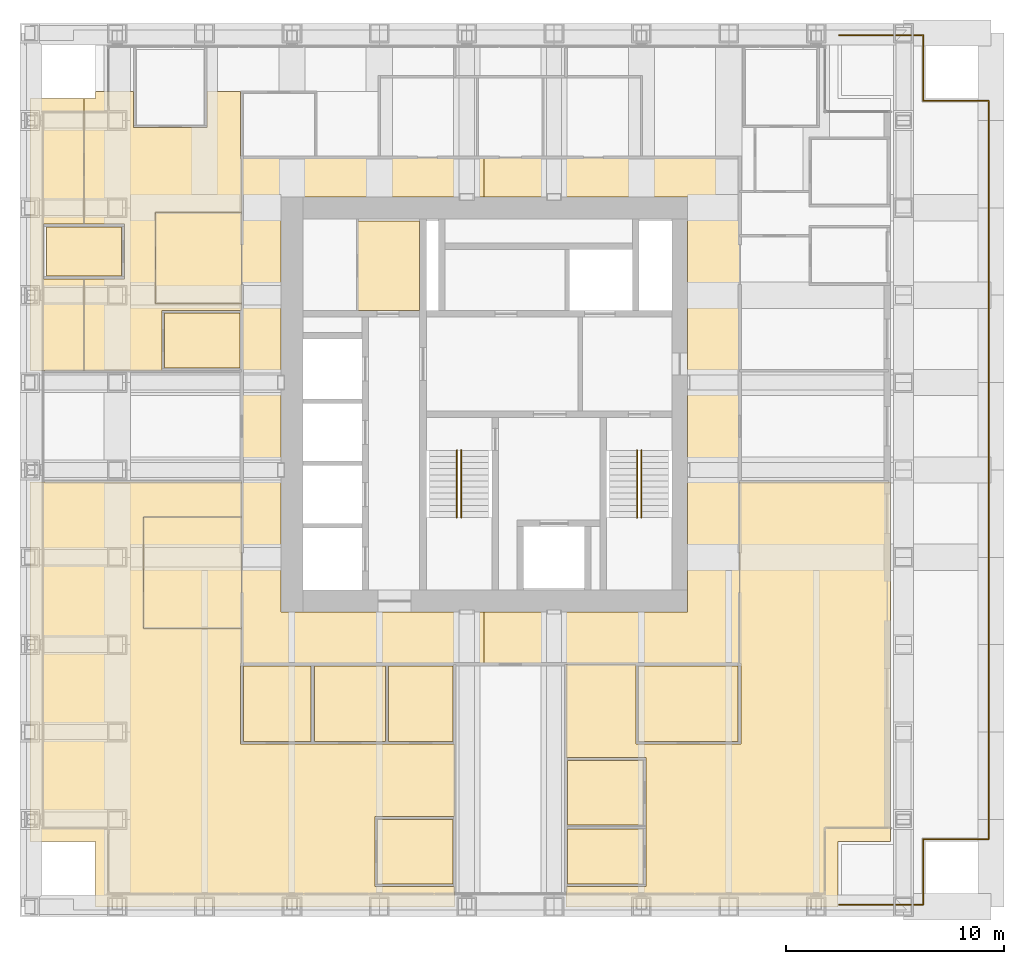
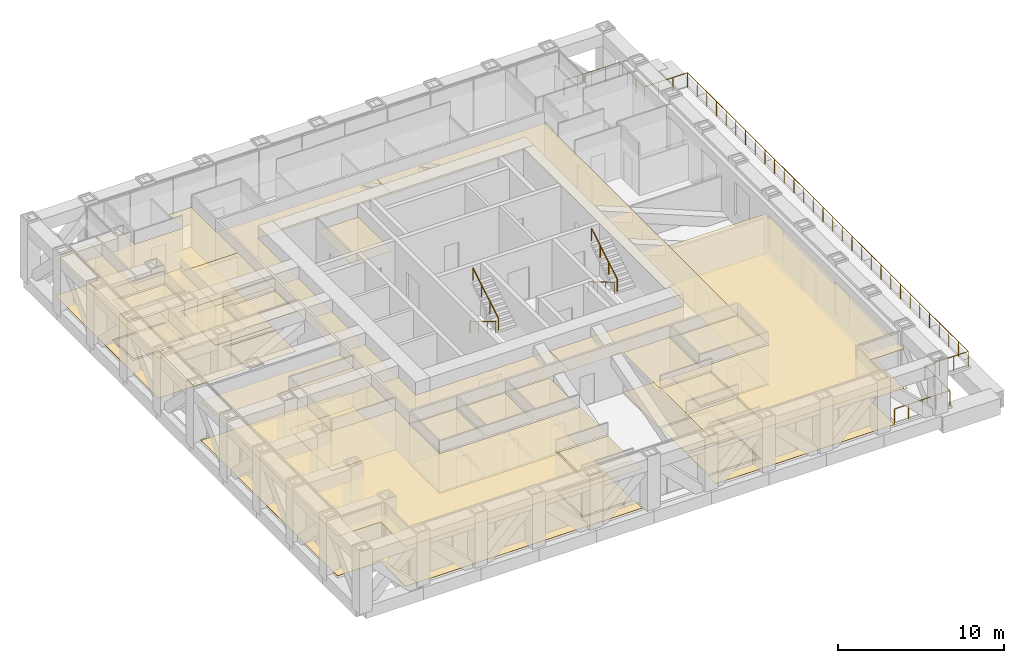
# One storey, part 13 of 14: 33 coverings, 5 railings.
"""IFC4 building model written with IfcOpenShell, lengths in metres."""

import ifcopenshell
import ifcopenshell.guid

model = None  # the IFC model being written
_history = None  # IfcOwnerHistory: only IFC2X3 demands one
_inside = {}  # id of a spatial element -> (the spatial element, [elements in it])
_under = {}  # id of a project, library or spatial element -> (it, [spatial elements below it])
_declared = {}  # id of a project -> (the project, [libraries it declares])
_typed = {}  # id of a type object -> (the type object, [elements of that type])
_made_of = {}  # id of a material, layer set ... -> (it, [elements and type objects made of it])


def new_model(schema):
    """Start an empty IFC model of exactly this schema.

    Asked for "IFC4X3", IfcOpenShell would pick the latest addendum, in which some entities
    have other attributes; the version numbers below select the first issue.
    IFC2X3 requires an IfcOwnerHistory on every rooted entity: one is made here for all.
    """
    global model, _history
    if schema == "IFC4X3":
        model = ifcopenshell.file(schema_version=(4, 3, 0, 0))
    else:
        model = ifcopenshell.file(schema=schema)
    _inside.clear()
    _under.clear()
    _declared.clear()
    _typed.clear()
    _made_of.clear()
    _history = None
    if model.schema == "IFC2X3":
        org = make("IfcOrganization", Name="unknown")
        user = make(
            "IfcPersonAndOrganization",
            ThePerson=make("IfcPerson", FamilyName="unknown"),
            TheOrganization=org,
        )
        app = make(
            "IfcApplication",
            ApplicationDeveloper=org,
            Version="unknown",
            ApplicationFullName="unknown",
            ApplicationIdentifier="unknown",
        )
        _history = make(
            "IfcOwnerHistory",
            OwningUser=user,
            OwningApplication=app,
            ChangeAction="ADDED",
            CreationDate=0,
        )
    return model


def make(cls, **values):
    """One entity of the class cls with the attributes given. An attribute that is None is left unset."""
    return model.create_entity(
        cls, **{name: value for name, value in values.items() if value is not None}
    )


def rooted(cls, **values):
    """An entity with a GlobalId (a new one), such as an element, a storey or a relation."""
    return make(cls, GlobalId=ifcopenshell.guid.new(), OwnerHistory=_history, **values)


def si_unit(unit_type, name, prefix=None):
    """IfcSIUnit, for example si_unit("LENGTHUNIT", "METRE", prefix="MILLI")."""
    return make("IfcSIUnit", UnitType=unit_type, Prefix=prefix, Name=name)


def assignment(units):
    """IfcUnitAssignment: the units of a project."""
    return None if units is None else make("IfcUnitAssignment", Units=units)


def point(xyz):
    """IfcCartesianPoint."""
    return None if xyz is None else make("IfcCartesianPoint", Coordinates=xyz)


def direction(xyz):
    """IfcDirection."""
    return None if xyz is None else make("IfcDirection", DirectionRatios=xyz)


def frame(location, z_axis=None, x_axis=None):
    """IfcAxis2Placement3D, a coordinate frame: its origin and axes. An axis left out is left unset."""
    return make(
        "IfcAxis2Placement3D",
        Location=point(location),
        Axis=direction(z_axis),
        RefDirection=direction(x_axis),
    )


def frame_2d(location, x_axis=None):
    """IfcAxis2Placement2D, a coordinate frame in the plane: its origin and x axis."""
    return make(
        "IfcAxis2Placement2D", Location=point(location), RefDirection=direction(x_axis)
    )


def origin():
    """The frame at (0, 0, 0) with its axes left unset."""
    return frame((0.0, 0.0, 0.0))


def origin_2d():
    """The frame at (0, 0) in the plane with its x axis left unset."""
    return frame_2d((0.0, 0.0))


def place(relative_to, where):
    """IfcLocalPlacement: puts the frame where relative to a parent placement (None: the world)."""
    return make(
        "IfcLocalPlacement", PlacementRelTo=relative_to, RelativePlacement=where
    )


def context(
    kind, dimensions, precision=None, world=None, true_north=None, identifier=None
):
    """IfcGeometricRepresentationContext, for example the 3D "Model" context."""
    return make(
        "IfcGeometricRepresentationContext",
        ContextIdentifier=identifier,
        ContextType=kind,
        CoordinateSpaceDimension=dimensions,
        Precision=precision,
        WorldCoordinateSystem=world,
        TrueNorth=true_north,
    )


def subcontext(parent, identifier, kind, view, scale=None):
    """IfcGeometricRepresentationSubContext, for example "Body" below "Model"."""
    return make(
        "IfcGeometricRepresentationSubContext",
        ContextIdentifier=identifier,
        ContextType=kind,
        ParentContext=parent,
        TargetScale=scale,
        TargetView=view,
    )


def project(units=None, contexts=None):
    """IfcProject with its units and contexts."""
    return rooted(
        "IfcProject",
        Name="project",
        RepresentationContexts=contexts,
        UnitsInContext=assignment(units),
    )


def spatial(cls, under=None, at=None, **own):
    """A site, building, storey or space (cls), placed at a placement, below another one or the project."""
    s = rooted(cls, ObjectPlacement=at, **own)
    if under is not None:
        _under.setdefault(under.id(), (under, []))[1].append(s)
    return s


def polyline(points):
    """IfcPolyline through the points."""
    return make("IfcPolyline", Points=[point(p) for p in points])


def profile(cls, at=None, kind="AREA", **sizes):
    """A parametric profile (cls). Its sizes go by their IFC names, for example OverallWidth=200.0."""
    return make(cls, ProfileType=kind, Position=at, **sizes)


def circle(**sizes):
    """IfcCircleProfileDef."""
    return profile("IfcCircleProfileDef", **sizes)


def outline(outer, holes=None, kind="AREA"):
    """IfcArbitraryClosedProfileDef: a profile drawn as a closed curve; with holes, ...WithVoids."""
    if holes is None:
        return make("IfcArbitraryClosedProfileDef", ProfileType=kind, OuterCurve=outer)
    return make(
        "IfcArbitraryProfileDefWithVoids",
        ProfileType=kind,
        OuterCurve=outer,
        InnerCurves=holes,
    )


def extrude(swept, where, along, depth):
    """IfcExtrudedAreaSolid: the profile swept, set in the frame where, extruded along a direction by depth."""
    return make(
        "IfcExtrudedAreaSolid",
        SweptArea=swept,
        Position=where,
        ExtrudedDirection=direction(along),
        Depth=depth,
    )


def shape(context_of_items, identifier, shape_type, items):
    """IfcShapeRepresentation: the items that make up one representation, for example the "Body"."""
    return make(
        "IfcShapeRepresentation",
        ContextOfItems=context_of_items,
        RepresentationIdentifier=identifier,
        RepresentationType=shape_type,
        Items=items,
    )


def material(Name=None, Category=None):
    """IfcMaterial."""
    return make("IfcMaterial", Name=Name, Category=Category)


def layer(
    of_material, thickness, ventilated=None, Name=None, Category=None, Priority=None
):
    """IfcMaterialLayer: one layer of a wall or slab, of a material (None: an air gap)."""
    return make(
        "IfcMaterialLayer",
        Material=of_material,
        LayerThickness=thickness,
        IsVentilated=ventilated,
        Name=Name,
        Category=Category,
        Priority=Priority,
    )


def layer_set(layers, Name=None):
    """IfcMaterialLayerSet."""
    return make("IfcMaterialLayerSet", MaterialLayers=layers, LayerSetName=Name)


def made_of(thing, what):
    """Note that an element or type object is made of a material, layer set ...; save() writes the relation."""
    if what is not None:
        _made_of.setdefault(what.id(), (what, []))[1].append(thing)
    return thing


def type_object(cls, material=None, **own):
    """A type object (cls), such as IfcWallType, which elements share."""
    return made_of(rooted(cls, **own), material)


def element(
    cls,
    number,
    at=None,
    inside=None,
    cuts=None,
    type_object=None,
    material=None,
    context=None,
    identifier="Body",
    shape_type=None,
    held_by="IfcProductDefinitionShape",
    body=None,
    shapes=None,
    **own,
):
    """One element of the class cls, such as IfcWall. Its Tag is "e" and its number.

    at: its placement. inside: the storey or other place that contains it. cuts: it is an
    opening in that element (IfcRelVoidsElement). A single representation is given by context,
    identifier, shape_type and body (its items); several are given by shapes. held_by: the class
    of the entity that holds the representations. save() writes the other relations.
    """
    e = rooted(cls, Tag="e%d" % number, ObjectPlacement=at, **own)
    if body is not None:
        shapes = [shape(context, identifier, shape_type, body)]
    if shapes is not None:
        e.Representation = make(held_by, Representations=shapes)
    if inside is not None:
        _inside.setdefault(inside.id(), (inside, []))[1].append(e)
    if cuts is not None:
        rooted(
            "IfcRelVoidsElement", RelatingBuildingElement=cuts, RelatedOpeningElement=e
        )
    if type_object is not None:
        _typed.setdefault(type_object.id(), (type_object, []))[1].append(e)
    return made_of(e, material)


def aggregate(whole, parts):
    """IfcRelAggregates: a whole, such as a stair, and the parts it consists of."""
    return rooted("IfcRelAggregates", RelatingObject=whole, RelatedObjects=parts)


def save(model, path):
    """Write the relations noted so far, then the file.

    IfcRelAggregates (storeys below a building ...), IfcRelContainedInSpatialStructure (elements
    in a storey), IfcRelDefinesByType, IfcRelAssociatesMaterial and IfcRelDeclares: one each for
    every whole, place, type object, material and project.
    """
    for whole, parts in _under.values():
        aggregate(whole, parts)
    for where, things in _inside.values():
        rooted(
            "IfcRelContainedInSpatialStructure",
            RelatedElements=things,
            RelatingStructure=where,
        )
    for kind, things in _typed.values():
        rooted("IfcRelDefinesByType", RelatedObjects=things, RelatingType=kind)
    for what, things in _made_of.values():
        rooted("IfcRelAssociatesMaterial", RelatedObjects=things, RelatingMaterial=what)
    for by, libraries in _declared.values():
        rooted("IfcRelDeclares", RelatingContext=by, RelatedDefinitions=libraries)
    model.write(path)


model = new_model("IFC4")

# Units and contexts
model_context = context("Model", 3, precision=1e-05, world=origin(), true_north=direction((0.0, 1.0)))
body_context = subcontext(model_context, "Body", "Model", "MODEL_VIEW")
ifc_project = project(units=[si_unit("LENGTHUNIT", "METRE"), si_unit("AREAUNIT", "SQUARE_METRE"), si_unit("VOLUMEUNIT", "CUBIC_METRE"), si_unit("PLANEANGLEUNIT", "RADIAN"), si_unit("MASSUNIT", "GRAM", prefix="KILO")], contexts=[model_context])

# Site, building, storey
site_placement = place(None, origin())
site = spatial("IfcSite", under=ifc_project, at=site_placement, CompositionType="ELEMENT")
building_placement = place(site_placement, origin())
building = spatial("IfcBuilding", under=site, at=building_placement, Name="Rimbunsela Tower", CompositionType="ELEMENT")
storey_placement = place(building_placement, frame((0.0, 0.0, 270.199951171875)))
storey = spatial("IfcBuildingStorey", under=building, at=storey_placement, Name="L65", CompositionType="ELEMENT", Elevation=270.199951171875)

# Coverings
ifc_material_1 = material(Name="Nylon carpet tile", Category="textile")
ifc_layer_1 = layer(ifc_material_1, 0.010009765625)
ifc_layer_set_1 = layer_set([ifc_layer_1], Name="Carpet tile 10")
covering_type_1 = type_object("IfcCoveringType", Name="Carpet tile 10", PredefinedType="FLOORING", material=ifc_layer_set_1)
covering_1_placement = place(storey_placement, origin())
element("IfcCovering", 1, at=covering_1_placement, inside=storey, type_object=covering_type_1, Name="Floor finish Open office", PredefinedType="FLOORING", context=body_context, shape_type="SweptSolid", body=[
    extrude(outline(polyline([(25.448974609375, 4.929931640625), (25.448974609375, 4.0), (15.699951171875, 4.0), (9.0, 4.0), (9.0, 7.0), (6.0, 7.0), (6.0, 23.448974609375), (15.699951171875, 23.448974609375), (15.699951171875, 21.84912109375), (11.199951171875, 21.84912109375), (11.199951171875, 16.7490234375), (15.699951171875, 16.7490234375), (15.699951171875, 15.14990234375), (15.64990234375, 15.14990234375), (15.64990234375, 11.449951171875), (15.699951171875, 11.449951171875), (18.89990234375, 11.449951171875), (19.0, 11.449951171875), (22.300048828125, 11.449951171875), (22.39990234375, 11.449951171875), (25.448974609375, 11.449951171875), (25.448974609375, 8.1298828125), (21.800048828125, 8.1298828125), (21.800048828125, 4.929931640625), (25.448974609375, 4.929931640625)])), origin(), (0.0, 0.0, 1.0), 0.010009765625),
])
covering_2_placement = place(storey_placement, origin())
element("IfcCovering", 2, at=covering_2_placement, inside=storey, type_object=covering_type_1, Name="Floor finish Open office", PredefinedType="FLOORING", context=body_context, shape_type="SweptSolid", body=[
    extrude(outline(polyline([(8.47998046875, 28.551025390625), (6.0, 28.551025390625), (6.0, 41.0), (8.47998046875, 41.0), (8.47998046875, 35.25), (6.6298828125, 35.25), (6.6298828125, 32.75), (8.47998046875, 32.75), (8.47998046875, 28.551025390625)])), origin(), (0.0, 0.0, 1.0), 0.010009765625),
])
covering_3_placement = place(storey_placement, origin())
element("IfcCovering", 3, at=covering_3_placement, inside=storey, type_object=covering_type_1, Name="Floor finish Open office", PredefinedType="FLOORING", context=body_context, shape_type="SweptSolid", body=[
    extrude(outline(polyline([(15.64990234375, 38.25), (15.699951171875, 38.25), (15.699951171875, 35.77587890625), (11.75, 35.77587890625), (11.75, 31.6259765625), (15.699951171875, 31.6259765625), (15.699951171875, 31.300048828125), (12.050048828125, 31.300048828125), (12.050048828125, 28.551025390625), (8.47998046875, 28.551025390625), (8.47998046875, 32.75), (10.330078125, 32.75), (10.330078125, 35.25), (8.47998046875, 35.25), (8.47998046875, 41.0), (9.0, 41.0), (9.0, 41.320068359375), (10.75, 41.320068359375), (10.75, 39.669921875), (14.10009765625, 39.669921875), (14.10009765625, 41.320068359375), (15.64990234375, 41.320068359375), (15.64990234375, 38.25)])), origin(), (0.0, 0.0, 1.0), 0.010009765625),
])
covering_4_placement = place(storey_placement, origin())
element("IfcCovering", 4, at=covering_4_placement, inside=storey, type_object=covering_type_1, Name="Floor finish Open office", PredefinedType="FLOORING", context=body_context, shape_type="SweptSolid", body=[
    extrude(outline(polyline([(34.199951171875, 4.929931640625), (34.199951171875, 7.6298828125), (34.199951171875, 7.679931640625), (34.199951171875, 10.830078125), (30.551025390625, 10.830078125), (30.551025390625, 15.10009765625), (33.7509765625, 15.10009765625), (33.7509765625, 11.449951171875), (38.5, 11.449951171875), (38.550048828125, 11.449951171875), (38.550048828125, 15.14990234375), (38.5, 15.14990234375), (38.5, 23.448974609375), (45.39990234375, 23.448974609375), (45.39990234375, 7.0), (43.0, 7.0), (43.0, 4.0), (38.5, 4.0), (30.551025390625, 4.0), (30.551025390625, 4.929931640625), (34.199951171875, 4.929931640625)])), origin(), (0.0, 0.0, 1.0), 0.010009765625),
])
covering_5_placement = place(storey_placement, origin())
element("IfcCovering", 5, at=covering_5_placement, inside=storey, type_object=covering_type_1, Name="Floor finish Reception", PredefinedType="FLOORING", context=body_context, shape_type="SweptSolid", body=[
    extrude(outline(polyline([(15.699951171875, 16.7490234375), (15.699951171875, 21.84912109375), (11.199951171875, 21.84912109375), (11.199951171875, 16.7490234375), (15.699951171875, 16.7490234375)])), origin(), (0.0, 0.0, 1.0), 0.010009765625),
])
covering_6_placement = place(storey_placement, origin())
element("IfcCovering", 6, at=covering_6_placement, inside=storey, type_object=covering_type_1, Name="Floor finish Reception", PredefinedType="FLOORING", context=body_context, shape_type="SweptSolid", body=[
    extrude(outline(polyline([(15.699951171875, 31.6259765625), (15.699951171875, 35.77587890625), (11.75, 35.77587890625), (11.75, 31.6259765625), (15.699951171875, 31.6259765625)])), origin(), (0.0, 0.0, 1.0), 0.010009765625),
])
covering_7_placement = place(storey_placement, origin())
element("IfcCovering", 7, at=covering_7_placement, inside=storey, type_object=covering_type_1, Name="Floor finish Interview room", PredefinedType="FLOORING", context=body_context, shape_type="SweptSolid", body=[
    extrude(outline(polyline([(18.875, 11.574951171875), (18.875, 15.02490234375), (15.77490234375, 15.02490234375), (15.77490234375, 11.574951171875), (18.875, 11.574951171875)])), origin(), (0.0, 0.0, 1.0), 0.010009765625),
])
covering_8_placement = place(storey_placement, origin())
element("IfcCovering", 8, at=covering_8_placement, inside=storey, type_object=covering_type_1, Name="Floor finish Pantry", PredefinedType="FLOORING", context=body_context, shape_type="SweptSolid", body=[
    extrude(outline(polyline([(22.27490234375, 11.574951171875), (22.27490234375, 15.02490234375), (19.02490234375, 15.02490234375), (19.02490234375, 11.574951171875), (22.27490234375, 11.574951171875)])), origin(), (0.0, 0.0, 1.0), 0.010009765625),
])
covering_9_placement = place(storey_placement, origin())
element("IfcCovering", 9, at=covering_9_placement, inside=storey, type_object=covering_type_1, Name="Floor finish Print and copy room", PredefinedType="FLOORING", context=body_context, shape_type="SweptSolid", body=[
    extrude(outline(polyline([(25.3740234375, 11.574951171875), (25.3740234375, 15.02490234375), (22.425048828125, 15.02490234375), (22.425048828125, 11.574951171875), (25.3740234375, 11.574951171875)])), origin(), (0.0, 0.0, 1.0), 0.010009765625),
])
covering_10_placement = place(storey_placement, origin())
element("IfcCovering", 10, at=covering_10_placement, inside=storey, type_object=covering_type_1, Name="Floor finish Pantry", PredefinedType="FLOORING", context=body_context, shape_type="SweptSolid", body=[
    extrude(outline(polyline([(38.425048828125, 11.574951171875), (38.425048828125, 15.02490234375), (33.8759765625, 15.02490234375), (33.8759765625, 11.574951171875), (38.425048828125, 11.574951171875)])), origin(), (0.0, 0.0, 1.0), 0.010009765625),
])
covering_11_placement = place(storey_placement, origin())
element("IfcCovering", 11, at=covering_11_placement, inside=storey, type_object=covering_type_1, Name="Floor finish Office", PredefinedType="FLOORING", context=body_context, shape_type="SweptSolid", body=[
    extrude(outline(polyline([(25.375, 5.054931640625), (25.375, 8.0048828125), (21.925048828125, 8.0048828125), (21.925048828125, 5.054931640625), (25.375, 5.054931640625)])), origin(), (0.0, 0.0, 1.0), 0.010009765625),
])
covering_12_placement = place(storey_placement, origin())
element("IfcCovering", 12, at=covering_12_placement, inside=storey, type_object=covering_type_1, Name="Floor finish Print and copy room", PredefinedType="FLOORING", context=body_context, shape_type="SweptSolid", body=[
    extrude(outline(polyline([(15.625, 28.675048828125), (15.625, 31.175048828125), (12.175048828125, 31.175048828125), (12.175048828125, 28.675048828125), (15.625, 28.675048828125)])), origin(), (0.0, 0.0, 1.0), 0.010009765625),
])
covering_13_placement = place(storey_placement, origin())
element("IfcCovering", 13, at=covering_13_placement, inside=storey, type_object=covering_type_1, Name="Floor finish Office", PredefinedType="FLOORING", context=body_context, shape_type="SweptSolid", body=[
    extrude(outline(polyline([(10.205078125, 32.875), (10.205078125, 35.125), (6.7548828125, 35.125), (6.7548828125, 32.875), (10.205078125, 32.875)])), origin(), (0.0, 0.0, 1.0), 0.010009765625),
])
covering_14_placement = place(storey_placement, origin())
element("IfcCovering", 14, at=covering_14_placement, inside=storey, type_object=covering_type_1, Name="Floor finish Print and copy room", PredefinedType="FLOORING", context=body_context, shape_type="SweptSolid", body=[
    extrude(outline(polyline([(34.074951171875, 5.054931640625), (34.074951171875, 7.554931640625), (30.625, 7.554931640625), (30.625, 5.054931640625), (34.074951171875, 5.054931640625)])), origin(), (0.0, 0.0, 1.0), 0.010009765625),
])
covering_15_placement = place(storey_placement, origin())
element("IfcCovering", 15, at=covering_15_placement, inside=storey, type_object=covering_type_1, Name="Floor finish Office", PredefinedType="FLOORING", context=body_context, shape_type="SweptSolid", body=[
    extrude(outline(polyline([(34.074951171875, 7.7548828125), (34.074951171875, 10.705078125), (30.625, 10.705078125), (30.625, 7.7548828125), (34.074951171875, 7.7548828125)])), origin(), (0.0, 0.0, 1.0), 0.010009765625),
])
ifc_material_2 = material(Name="Mineral fibre ceiling tile", Category="gypsum")
ifc_layer_2 = layer(ifc_material_2, 0.02001953125)
ifc_layer_set_2 = layer_set([ifc_layer_2], Name="Ceiling 600 grid")
covering_type_2 = type_object("IfcCoveringType", Name="Ceiling 600 grid", PredefinedType="CEILING", material=ifc_layer_set_2)
covering_16_placement = place(storey_placement, frame((0.0, 0.0, 2.900146484375)))
element("IfcCovering", 16, at=covering_16_placement, inside=storey, type_object=covering_type_2, Name="Ceiling IT room", PredefinedType="CEILING", context=body_context, shape_type="SweptSolid", body=[
    extrude(outline(polyline([(23.85009765625, 31.300048828125), (23.85009765625, 35.39990234375), (21.0, 35.39990234375), (21.0, 31.300048828125), (23.85009765625, 31.300048828125)])), origin(), (0.0, 0.0, 1.0), 0.02001953125),
])
covering_17_placement = place(storey_placement, frame((0.0, 0.0, 2.900146484375)))
element("IfcCovering", 17, at=covering_17_placement, inside=storey, type_object=covering_type_2, Name="Ceiling Ring corridor", PredefinedType="CEILING", context=body_context, shape_type="SweptSolid", body=[
    extrude(outline(polyline([(15.699951171875, 38.300048828125), (26.800048828125, 38.300048828125), (26.800048828125, 36.5), (17.5, 36.5), (17.5, 17.5), (26.800048828125, 17.5), (26.800048828125, 15.10009765625), (15.699951171875, 15.10009765625), (15.699951171875, 38.300048828125)])), origin(), (0.0, 0.0, 1.0), 0.02001953125),
])
covering_18_placement = place(storey_placement, frame((0.0, 0.0, 2.900146484375)))
element("IfcCovering", 18, at=covering_18_placement, inside=storey, type_object=covering_type_2, Name="Ceiling Ring corridor", PredefinedType="CEILING", context=body_context, shape_type="SweptSolid", body=[
    extrude(outline(polyline([(38.5, 38.300048828125), (38.5, 15.10009765625), (26.800048828125, 15.10009765625), (26.800048828125, 17.5), (36.10009765625, 17.5), (36.10009765625, 36.5), (26.800048828125, 36.5), (26.800048828125, 38.300048828125), (38.5, 38.300048828125)])), origin(), (0.0, 0.0, 1.0), 0.02001953125),
])
covering_19_placement = place(storey_placement, frame((0.0, 0.0, 2.900146484375)))
element("IfcCovering", 19, at=covering_19_placement, inside=storey, type_object=covering_type_2, Name="Ceiling Open office", PredefinedType="CEILING", context=body_context, shape_type="SweptSolid", body=[
    extrude(outline(polyline([(25.448974609375, 4.929931640625), (25.448974609375, 4.0), (15.699951171875, 4.0), (9.0, 4.0), (9.0, 7.0), (6.0, 7.0), (6.0, 23.448974609375), (15.699951171875, 23.448974609375), (15.699951171875, 21.84912109375), (11.199951171875, 21.84912109375), (11.199951171875, 16.7490234375), (15.699951171875, 16.7490234375), (15.699951171875, 15.14990234375), (15.64990234375, 15.14990234375), (15.64990234375, 11.449951171875), (15.699951171875, 11.449951171875), (18.89990234375, 11.449951171875), (19.0, 11.449951171875), (22.300048828125, 11.449951171875), (22.39990234375, 11.449951171875), (25.448974609375, 11.449951171875), (25.448974609375, 8.1298828125), (21.800048828125, 8.1298828125), (21.800048828125, 4.929931640625), (25.448974609375, 4.929931640625)])), origin(), (0.0, 0.0, 1.0), 0.02001953125),
])
covering_20_placement = place(storey_placement, frame((0.0, 0.0, 2.900146484375)))
element("IfcCovering", 20, at=covering_20_placement, inside=storey, type_object=covering_type_2, Name="Ceiling Open office", PredefinedType="CEILING", context=body_context, shape_type="SweptSolid", body=[
    extrude(outline(polyline([(8.47998046875, 28.551025390625), (6.0, 28.551025390625), (6.0, 41.0), (8.47998046875, 41.0), (8.47998046875, 35.25), (6.6298828125, 35.25), (6.6298828125, 32.75), (8.47998046875, 32.75), (8.47998046875, 28.551025390625)])), origin(), (0.0, 0.0, 1.0), 0.02001953125),
])
covering_21_placement = place(storey_placement, frame((0.0, 0.0, 2.900146484375)))
element("IfcCovering", 21, at=covering_21_placement, inside=storey, type_object=covering_type_2, Name="Ceiling Open office", PredefinedType="CEILING", context=body_context, shape_type="SweptSolid", body=[
    extrude(outline(polyline([(15.64990234375, 38.25), (15.699951171875, 38.25), (15.699951171875, 35.77587890625), (11.75, 35.77587890625), (11.75, 31.6259765625), (15.699951171875, 31.6259765625), (15.699951171875, 31.300048828125), (12.050048828125, 31.300048828125), (12.050048828125, 28.551025390625), (8.47998046875, 28.551025390625), (8.47998046875, 32.75), (10.330078125, 32.75), (10.330078125, 35.25), (8.47998046875, 35.25), (8.47998046875, 41.0), (9.0, 41.0), (9.0, 41.320068359375), (10.75, 41.320068359375), (10.75, 39.669921875), (14.10009765625, 39.669921875), (14.10009765625, 41.320068359375), (15.64990234375, 41.320068359375), (15.64990234375, 38.25)])), origin(), (0.0, 0.0, 1.0), 0.02001953125),
])
covering_22_placement = place(storey_placement, frame((0.0, 0.0, 2.900146484375)))
element("IfcCovering", 22, at=covering_22_placement, inside=storey, type_object=covering_type_2, Name="Ceiling Open office", PredefinedType="CEILING", context=body_context, shape_type="SweptSolid", body=[
    extrude(outline(polyline([(34.199951171875, 4.929931640625), (34.199951171875, 7.6298828125), (34.199951171875, 7.679931640625), (34.199951171875, 10.830078125), (30.551025390625, 10.830078125), (30.551025390625, 15.10009765625), (33.7509765625, 15.10009765625), (33.7509765625, 11.449951171875), (38.5, 11.449951171875), (38.550048828125, 11.449951171875), (38.550048828125, 15.14990234375), (38.5, 15.14990234375), (38.5, 23.448974609375), (45.39990234375, 23.448974609375), (45.39990234375, 7.0), (43.0, 7.0), (43.0, 4.0), (38.5, 4.0), (30.551025390625, 4.0), (30.551025390625, 4.929931640625), (34.199951171875, 4.929931640625)])), origin(), (0.0, 0.0, 1.0), 0.02001953125),
])
covering_23_placement = place(storey_placement, frame((0.0, 0.0, 2.900146484375)))
element("IfcCovering", 23, at=covering_23_placement, inside=storey, type_object=covering_type_2, Name="Ceiling Reception", PredefinedType="CEILING", context=body_context, shape_type="SweptSolid", body=[
    extrude(outline(polyline([(15.699951171875, 16.7490234375), (15.699951171875, 21.84912109375), (11.199951171875, 21.84912109375), (11.199951171875, 16.7490234375), (15.699951171875, 16.7490234375)])), origin(), (0.0, 0.0, 1.0), 0.02001953125),
])
covering_24_placement = place(storey_placement, frame((0.0, 0.0, 2.900146484375)))
element("IfcCovering", 24, at=covering_24_placement, inside=storey, type_object=covering_type_2, Name="Ceiling Reception", PredefinedType="CEILING", context=body_context, shape_type="SweptSolid", body=[
    extrude(outline(polyline([(15.699951171875, 31.6259765625), (15.699951171875, 35.77587890625), (11.75, 35.77587890625), (11.75, 31.6259765625), (15.699951171875, 31.6259765625)])), origin(), (0.0, 0.0, 1.0), 0.02001953125),
])
covering_25_placement = place(storey_placement, frame((0.0, 0.0, 2.900146484375)))
element("IfcCovering", 25, at=covering_25_placement, inside=storey, type_object=covering_type_2, Name="Ceiling Interview room", PredefinedType="CEILING", context=body_context, shape_type="SweptSolid", body=[
    extrude(outline(polyline([(18.875, 11.574951171875), (18.875, 15.02490234375), (15.77490234375, 15.02490234375), (15.77490234375, 11.574951171875), (18.875, 11.574951171875)])), origin(), (0.0, 0.0, 1.0), 0.02001953125),
])
covering_26_placement = place(storey_placement, frame((0.0, 0.0, 2.900146484375)))
element("IfcCovering", 26, at=covering_26_placement, inside=storey, type_object=covering_type_2, Name="Ceiling Pantry", PredefinedType="CEILING", context=body_context, shape_type="SweptSolid", body=[
    extrude(outline(polyline([(22.27490234375, 11.574951171875), (22.27490234375, 15.02490234375), (19.02490234375, 15.02490234375), (19.02490234375, 11.574951171875), (22.27490234375, 11.574951171875)])), origin(), (0.0, 0.0, 1.0), 0.02001953125),
])
covering_27_placement = place(storey_placement, frame((0.0, 0.0, 2.900146484375)))
element("IfcCovering", 27, at=covering_27_placement, inside=storey, type_object=covering_type_2, Name="Ceiling Print and copy room", PredefinedType="CEILING", context=body_context, shape_type="SweptSolid", body=[
    extrude(outline(polyline([(25.3740234375, 11.574951171875), (25.3740234375, 15.02490234375), (22.425048828125, 15.02490234375), (22.425048828125, 11.574951171875), (25.3740234375, 11.574951171875)])), origin(), (0.0, 0.0, 1.0), 0.02001953125),
])
covering_28_placement = place(storey_placement, frame((0.0, 0.0, 2.900146484375)))
element("IfcCovering", 28, at=covering_28_placement, inside=storey, type_object=covering_type_2, Name="Ceiling Pantry", PredefinedType="CEILING", context=body_context, shape_type="SweptSolid", body=[
    extrude(outline(polyline([(38.425048828125, 11.574951171875), (38.425048828125, 15.02490234375), (33.8759765625, 15.02490234375), (33.8759765625, 11.574951171875), (38.425048828125, 11.574951171875)])), origin(), (0.0, 0.0, 1.0), 0.02001953125),
])
covering_29_placement = place(storey_placement, frame((0.0, 0.0, 2.900146484375)))
element("IfcCovering", 29, at=covering_29_placement, inside=storey, type_object=covering_type_2, Name="Ceiling Office", PredefinedType="CEILING", context=body_context, shape_type="SweptSolid", body=[
    extrude(outline(polyline([(25.375, 5.054931640625), (25.375, 8.0048828125), (21.925048828125, 8.0048828125), (21.925048828125, 5.054931640625), (25.375, 5.054931640625)])), origin(), (0.0, 0.0, 1.0), 0.02001953125),
])
covering_30_placement = place(storey_placement, frame((0.0, 0.0, 2.900146484375)))
element("IfcCovering", 30, at=covering_30_placement, inside=storey, type_object=covering_type_2, Name="Ceiling Print and copy room", PredefinedType="CEILING", context=body_context, shape_type="SweptSolid", body=[
    extrude(outline(polyline([(15.625, 28.675048828125), (15.625, 31.175048828125), (12.175048828125, 31.175048828125), (12.175048828125, 28.675048828125), (15.625, 28.675048828125)])), origin(), (0.0, 0.0, 1.0), 0.02001953125),
])
covering_31_placement = place(storey_placement, frame((0.0, 0.0, 2.900146484375)))
element("IfcCovering", 31, at=covering_31_placement, inside=storey, type_object=covering_type_2, Name="Ceiling Office", PredefinedType="CEILING", context=body_context, shape_type="SweptSolid", body=[
    extrude(outline(polyline([(10.205078125, 32.875), (10.205078125, 35.125), (6.7548828125, 35.125), (6.7548828125, 32.875), (10.205078125, 32.875)])), origin(), (0.0, 0.0, 1.0), 0.02001953125),
])
covering_32_placement = place(storey_placement, frame((0.0, 0.0, 2.900146484375)))
element("IfcCovering", 32, at=covering_32_placement, inside=storey, type_object=covering_type_2, Name="Ceiling Print and copy room", PredefinedType="CEILING", context=body_context, shape_type="SweptSolid", body=[
    extrude(outline(polyline([(34.074951171875, 5.054931640625), (34.074951171875, 7.554931640625), (30.625, 7.554931640625), (30.625, 5.054931640625), (34.074951171875, 5.054931640625)])), origin(), (0.0, 0.0, 1.0), 0.02001953125),
])
covering_33_placement = place(storey_placement, frame((0.0, 0.0, 2.900146484375)))
element("IfcCovering", 33, at=covering_33_placement, inside=storey, type_object=covering_type_2, Name="Ceiling Office", PredefinedType="CEILING", context=body_context, shape_type="SweptSolid", body=[
    extrude(outline(polyline([(34.074951171875, 7.7548828125), (34.074951171875, 10.705078125), (30.625, 10.705078125), (30.625, 7.7548828125), (34.074951171875, 7.7548828125)])), origin(), (0.0, 0.0, 1.0), 0.02001953125),
])

# Railings
ifc_material_3 = material(Name="Stainless steel tube", Category="steel")
railing_type_1 = type_object("IfcRailingType", Name="Stair handrail 900", PredefinedType="HANDRAIL", material=ifc_material_3)
railing_1_placement = place(storey_placement, frame((25.550048828125, 24.89990234375, 0.166748046875)))
element("IfcRailing", 34, at=railing_1_placement, inside=storey, type_object=railing_type_1, Name="Handrail ST-A flight 1", PredefinedType="HANDRAIL", context=body_context, shape_type="SweptSolid", body=[
    extrude(circle(Radius=0.02392578125, at=origin_2d()), frame((0.0, 0.0, 0.8759765625), z_axis=(0.0, -0.859290745958, 0.51148745235), x_axis=(1.0, 0.0, 0.0)), (0.0, 0.0, 1.0), 3.584228515625),
    extrude(circle(Radius=0.02099609375, at=origin_2d()), origin(), (0.0, 0.0, 1.0), 0.851806640625),
    extrude(circle(Radius=0.02099609375, at=origin_2d()), frame((0.0, -1.026611328125, 0.611083984375)), (0.0, 0.0, 1.0), 0.851806640625),
    extrude(circle(Radius=0.02099609375, at=origin_2d()), frame((0.0, -2.05322265625, 1.22216796875)), (0.0, 0.0, 1.0), 0.851806640625),
    extrude(circle(Radius=0.02099609375, at=origin_2d()), frame((0.0, -3.079833984375, 1.833251953125)), (0.0, 0.0, 1.0), 0.851806640625),
])
railing_2_placement = place(storey_placement, frame((25.75, 21.820068359375, 2.166748046875)))
element("IfcRailing", 35, at=railing_2_placement, inside=storey, type_object=railing_type_1, Name="Handrail ST-A flight 2", PredefinedType="HANDRAIL", context=body_context, shape_type="SweptSolid", body=[
    extrude(circle(Radius=0.02392578125, at=origin_2d()), frame((0.0, 0.0, 0.8759765625), z_axis=(0.0, 0.859290745958, 0.51148745235), x_axis=(-1.0, 0.0, 0.0)), (0.0, 0.0, 1.0), 3.584228515625),
    extrude(circle(Radius=0.02099609375, at=origin_2d()), origin(), (0.0, 0.0, 1.0), 0.851806640625),
    extrude(circle(Radius=0.02099609375, at=origin_2d()), frame((0.0, 1.026611328125, 0.611083984375)), (0.0, 0.0, 1.0), 0.851806640625),
    extrude(circle(Radius=0.02099609375, at=origin_2d()), frame((0.0, 2.05322265625, 1.22216796875)), (0.0, 0.0, 1.0), 0.851806640625),
    extrude(circle(Radius=0.02099609375, at=origin_2d()), frame((0.0, 3.079833984375, 1.833251953125)), (0.0, 0.0, 1.0), 0.851806640625),
])
railing_3_placement = place(storey_placement, frame((33.800048828125, 24.89990234375, 0.166748046875)))
element("IfcRailing", 36, at=railing_3_placement, inside=storey, type_object=railing_type_1, Name="Handrail ST-B flight 1", PredefinedType="HANDRAIL", context=body_context, shape_type="SweptSolid", body=[
    extrude(circle(Radius=0.02392578125, at=origin_2d()), frame((0.0, 0.0, 0.8759765625), z_axis=(0.0, -0.859290745958, 0.51148745235), x_axis=(1.0, 0.0, 0.0)), (0.0, 0.0, 1.0), 3.584228515625),
    extrude(circle(Radius=0.02099609375, at=origin_2d()), origin(), (0.0, 0.0, 1.0), 0.851806640625),
    extrude(circle(Radius=0.02099609375, at=origin_2d()), frame((0.0, -1.026611328125, 0.611083984375)), (0.0, 0.0, 1.0), 0.851806640625),
    extrude(circle(Radius=0.02099609375, at=origin_2d()), frame((0.0, -2.05322265625, 1.22216796875)), (0.0, 0.0, 1.0), 0.851806640625),
    extrude(circle(Radius=0.02099609375, at=origin_2d()), frame((0.0, -3.079833984375, 1.833251953125)), (0.0, 0.0, 1.0), 0.851806640625),
])
railing_4_placement = place(storey_placement, frame((34.0, 21.820068359375, 2.166748046875)))
element("IfcRailing", 37, at=railing_4_placement, inside=storey, type_object=railing_type_1, Name="Handrail ST-B flight 2", PredefinedType="HANDRAIL", context=body_context, shape_type="SweptSolid", body=[
    extrude(circle(Radius=0.02392578125, at=origin_2d()), frame((0.0, 0.0, 0.8759765625), z_axis=(0.0, 0.859290745958, 0.51148745235), x_axis=(-1.0, 0.0, 0.0)), (0.0, 0.0, 1.0), 3.584228515625),
    extrude(circle(Radius=0.02099609375, at=origin_2d()), origin(), (0.0, 0.0, 1.0), 0.851806640625),
    extrude(circle(Radius=0.02099609375, at=origin_2d()), frame((0.0, 1.026611328125, 0.611083984375)), (0.0, 0.0, 1.0), 0.851806640625),
    extrude(circle(Radius=0.02099609375, at=origin_2d()), frame((0.0, 2.05322265625, 1.22216796875)), (0.0, 0.0, 1.0), 0.851806640625),
    extrude(circle(Radius=0.02099609375, at=origin_2d()), frame((0.0, 3.079833984375, 1.833251953125)), (0.0, 0.0, 1.0), 0.851806640625),
])
ifc_material_4 = material(Name="Laminated glass balustrade", Category="glass")
railing_type_2 = type_object("IfcRailingType", Name="Terrace guard 1100", PredefinedType="GUARDRAIL", material=ifc_material_4)
railing_5_placement = place(storey_placement, frame((43.050048828125, 43.89990234375, 0.0)))
element("IfcRailing", 38, at=railing_5_placement, inside=storey, type_object=railing_type_2, Name="Terrace guard L65", PredefinedType="GUARDRAIL", context=body_context, shape_type="SweptSolid", body=[
    extrude(circle(Radius=0.02392578125, at=origin_2d()), frame((0.0, 0.0, 1.076171875), z_axis=(1.0, 0.0, 0.0), x_axis=(0.0, 1.0, 0.0)), (0.0, 0.0, 1.0), 3.849853515625),
    extrude(circle(Radius=0.02392578125, at=origin_2d()), frame((3.849853515625, 0.0, 1.076171875), z_axis=(0.0, -1.0, 0.0), x_axis=(1.0, 0.0, 0.0)), (0.0, 0.0, 1.0), 3.0),
    extrude(circle(Radius=0.02392578125, at=origin_2d()), frame((3.849853515625, -3.0, 1.076171875), z_axis=(1.0, 0.0, 0.0), x_axis=(0.0, 1.0, 0.0)), (0.0, 0.0, 1.0), 3.0),
    extrude(circle(Radius=0.02392578125, at=origin_2d()), frame((6.849853515625, -3.0, 1.076171875), z_axis=(0.0, -1.0, 0.0), x_axis=(1.0, 0.0, 0.0)), (0.0, 0.0, 1.0), 33.7998046875),
    extrude(circle(Radius=0.02392578125, at=origin_2d()), frame((6.849853515625, -36.7998046875, 1.076171875), z_axis=(-1.0, 0.0, 0.0), x_axis=(0.0, -1.0, 0.0)), (0.0, 0.0, 1.0), 3.0),
    extrude(circle(Radius=0.02392578125, at=origin_2d()), frame((3.849853515625, -36.7998046875, 1.076171875), z_axis=(0.0, -1.0, 0.0), x_axis=(1.0, 0.0, 0.0)), (0.0, 0.0, 1.0), 3.0),
    extrude(circle(Radius=0.02392578125, at=origin_2d()), frame((3.849853515625, -39.7998046875, 1.076171875), z_axis=(-1.0, 0.0, 0.0), x_axis=(0.0, -1.0, 0.0)), (0.0, 0.0, 1.0), 3.849853515625),
    extrude(circle(Radius=0.02099609375, at=origin_2d()), origin(), (0.0, 0.0, 1.0), 1.052001953125),
    extrude(circle(Radius=0.02099609375, at=origin_2d()), frame((0.96240234375, 0.0, 0.0)), (0.0, 0.0, 1.0), 1.052001953125),
    extrude(circle(Radius=0.02099609375, at=origin_2d()), frame((1.9248046875, 0.0, 0.0)), (0.0, 0.0, 1.0), 1.052001953125),
    extrude(circle(Radius=0.02099609375, at=origin_2d()), frame((2.887451171875, 0.0, 0.0)), (0.0, 0.0, 1.0), 1.052001953125),
    extrude(circle(Radius=0.02099609375, at=origin_2d()), frame((3.849853515625, 0.0, 0.0)), (0.0, 0.0, 1.0), 1.052001953125),
    extrude(circle(Radius=0.02099609375, at=origin_2d()), frame((3.849853515625, -1.0, 0.0)), (0.0, 0.0, 1.0), 1.052001953125),
    extrude(circle(Radius=0.02099609375, at=origin_2d()), frame((3.849853515625, -2.0, 0.0)), (0.0, 0.0, 1.0), 1.052001953125),
    extrude(circle(Radius=0.02099609375, at=origin_2d()), frame((3.849853515625, -3.0, 0.0)), (0.0, 0.0, 1.0), 1.052001953125),
    extrude(circle(Radius=0.02099609375, at=origin_2d()), frame((4.849853515625, -3.0, 0.0)), (0.0, 0.0, 1.0), 1.052001953125),
    extrude(circle(Radius=0.02099609375, at=origin_2d()), frame((5.849853515625, -3.0, 0.0)), (0.0, 0.0, 1.0), 1.052001953125),
    extrude(circle(Radius=0.02099609375, at=origin_2d()), frame((6.849853515625, -3.0, 0.0)), (0.0, 0.0, 1.0), 1.052001953125),
    extrude(circle(Radius=0.02099609375, at=origin_2d()), frame((6.849853515625, -4.16552734375, 0.0)), (0.0, 0.0, 1.0), 1.052001953125),
    extrude(circle(Radius=0.02099609375, at=origin_2d()), frame((6.849853515625, -5.3310546875, 0.0)), (0.0, 0.0, 1.0), 1.052001953125),
    extrude(circle(Radius=0.02099609375, at=origin_2d()), frame((6.849853515625, -6.49658203125, 0.0)), (0.0, 0.0, 1.0), 1.052001953125),
    extrude(circle(Radius=0.02099609375, at=origin_2d()), frame((6.849853515625, -7.662109375, 0.0)), (0.0, 0.0, 1.0), 1.052001953125),
    extrude(circle(Radius=0.02099609375, at=origin_2d()), frame((6.849853515625, -8.82763671875, 0.0)), (0.0, 0.0, 1.0), 1.052001953125),
    extrude(circle(Radius=0.02099609375, at=origin_2d()), frame((6.849853515625, -9.9931640625, 0.0)), (0.0, 0.0, 1.0), 1.052001953125),
    extrude(circle(Radius=0.02099609375, at=origin_2d()), frame((6.849853515625, -11.15869140625, 0.0)), (0.0, 0.0, 1.0), 1.052001953125),
    extrude(circle(Radius=0.02099609375, at=origin_2d()), frame((6.849853515625, -12.323974609375, 0.0)), (0.0, 0.0, 1.0), 1.052001953125),
    extrude(circle(Radius=0.02099609375, at=origin_2d()), frame((6.849853515625, -13.489501953125, 0.0)), (0.0, 0.0, 1.0), 1.052001953125),
    extrude(circle(Radius=0.02099609375, at=origin_2d()), frame((6.849853515625, -14.655029296875, 0.0)), (0.0, 0.0, 1.0), 1.052001953125),
    extrude(circle(Radius=0.02099609375, at=origin_2d()), frame((6.849853515625, -15.820556640625, 0.0)), (0.0, 0.0, 1.0), 1.052001953125),
    extrude(circle(Radius=0.02099609375, at=origin_2d()), frame((6.849853515625, -16.986083984375, 0.0)), (0.0, 0.0, 1.0), 1.052001953125),
    extrude(circle(Radius=0.02099609375, at=origin_2d()), frame((6.849853515625, -18.151611328125, 0.0)), (0.0, 0.0, 1.0), 1.052001953125),
    extrude(circle(Radius=0.02099609375, at=origin_2d()), frame((6.849853515625, -19.317138671875, 0.0)), (0.0, 0.0, 1.0), 1.052001953125),
    extrude(circle(Radius=0.02099609375, at=origin_2d()), frame((6.849853515625, -20.482666015625, 0.0)), (0.0, 0.0, 1.0), 1.052001953125),
    extrude(circle(Radius=0.02099609375, at=origin_2d()), frame((6.849853515625, -21.648193359375, 0.0)), (0.0, 0.0, 1.0), 1.052001953125),
    extrude(circle(Radius=0.02099609375, at=origin_2d()), frame((6.849853515625, -22.813720703125, 0.0)), (0.0, 0.0, 1.0), 1.052001953125),
    extrude(circle(Radius=0.02099609375, at=origin_2d()), frame((6.849853515625, -23.979248046875, 0.0)), (0.0, 0.0, 1.0), 1.052001953125),
    extrude(circle(Radius=0.02099609375, at=origin_2d()), frame((6.849853515625, -25.144775390625, 0.0)), (0.0, 0.0, 1.0), 1.052001953125),
    extrude(circle(Radius=0.02099609375, at=origin_2d()), frame((6.849853515625, -26.310302734375, 0.0)), (0.0, 0.0, 1.0), 1.052001953125),
    extrude(circle(Radius=0.02099609375, at=origin_2d()), frame((6.849853515625, -27.475830078125, 0.0)), (0.0, 0.0, 1.0), 1.052001953125),
    extrude(circle(Radius=0.02099609375, at=origin_2d()), frame((6.849853515625, -28.64111328125, 0.0)), (0.0, 0.0, 1.0), 1.052001953125),
    extrude(circle(Radius=0.02099609375, at=origin_2d()), frame((6.849853515625, -29.806640625, 0.0)), (0.0, 0.0, 1.0), 1.052001953125),
    extrude(circle(Radius=0.02099609375, at=origin_2d()), frame((6.849853515625, -30.97216796875, 0.0)), (0.0, 0.0, 1.0), 1.052001953125),
    extrude(circle(Radius=0.02099609375, at=origin_2d()), frame((6.849853515625, -32.1376953125, 0.0)), (0.0, 0.0, 1.0), 1.052001953125),
    extrude(circle(Radius=0.02099609375, at=origin_2d()), frame((6.849853515625, -33.30322265625, 0.0)), (0.0, 0.0, 1.0), 1.052001953125),
    extrude(circle(Radius=0.02099609375, at=origin_2d()), frame((6.849853515625, -34.46875, 0.0)), (0.0, 0.0, 1.0), 1.052001953125),
    extrude(circle(Radius=0.02099609375, at=origin_2d()), frame((6.849853515625, -35.63427734375, 0.0)), (0.0, 0.0, 1.0), 1.052001953125),
    extrude(circle(Radius=0.02099609375, at=origin_2d()), frame((6.849853515625, -36.7998046875, 0.0)), (0.0, 0.0, 1.0), 1.052001953125),
    extrude(circle(Radius=0.02099609375, at=origin_2d()), frame((5.849853515625, -36.7998046875, 0.0)), (0.0, 0.0, 1.0), 1.052001953125),
    extrude(circle(Radius=0.02099609375, at=origin_2d()), frame((4.849853515625, -36.7998046875, 0.0)), (0.0, 0.0, 1.0), 1.052001953125),
    extrude(circle(Radius=0.02099609375, at=origin_2d()), frame((3.849853515625, -36.7998046875, 0.0)), (0.0, 0.0, 1.0), 1.052001953125),
    extrude(circle(Radius=0.02099609375, at=origin_2d()), frame((3.849853515625, -37.7998046875, 0.0)), (0.0, 0.0, 1.0), 1.052001953125),
    extrude(circle(Radius=0.02099609375, at=origin_2d()), frame((3.849853515625, -38.7998046875, 0.0)), (0.0, 0.0, 1.0), 1.052001953125),
    extrude(circle(Radius=0.02099609375, at=origin_2d()), frame((3.849853515625, -39.7998046875, 0.0)), (0.0, 0.0, 1.0), 1.052001953125),
    extrude(circle(Radius=0.02099609375, at=origin_2d()), frame((2.887451171875, -39.7998046875, 0.0)), (0.0, 0.0, 1.0), 1.052001953125),
    extrude(circle(Radius=0.02099609375, at=origin_2d()), frame((1.9248046875, -39.7998046875, 0.0)), (0.0, 0.0, 1.0), 1.052001953125),
    extrude(circle(Radius=0.02099609375, at=origin_2d()), frame((0.96240234375, -39.7998046875, 0.0)), (0.0, 0.0, 1.0), 1.052001953125),
    extrude(circle(Radius=0.02099609375, at=origin_2d()), frame((0.0, -39.7998046875, 0.0)), (0.0, 0.0, 1.0), 1.052001953125),
])

save(model, "model.ifc")
